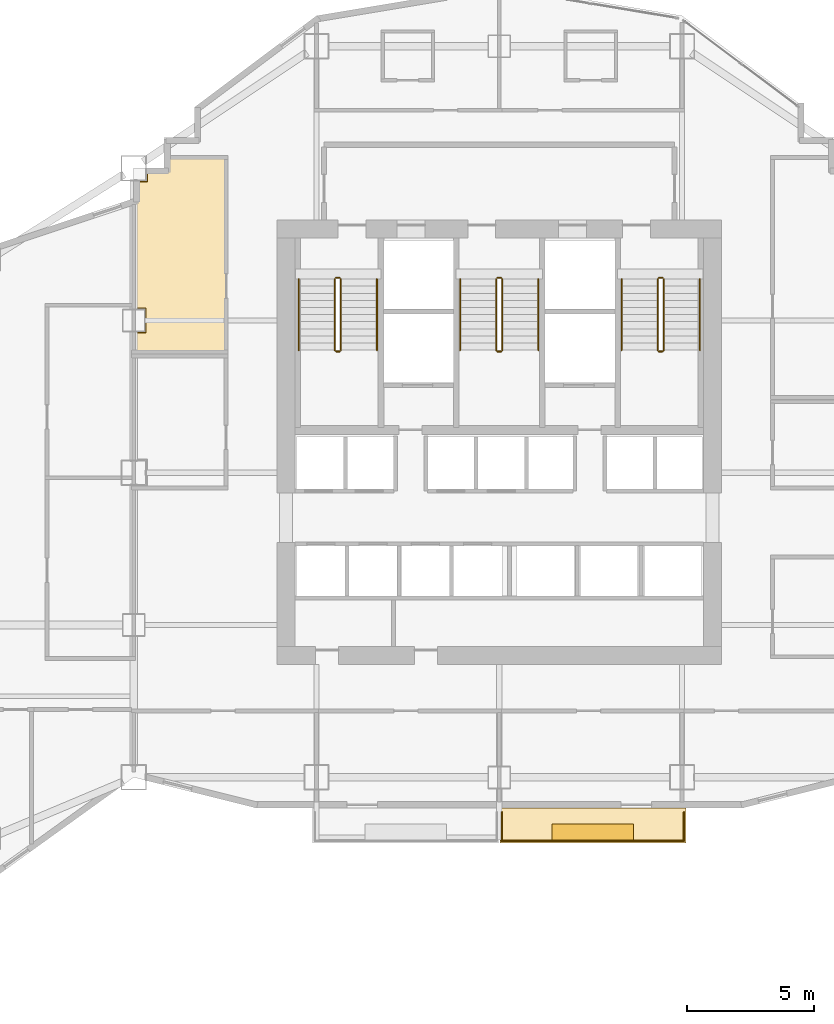
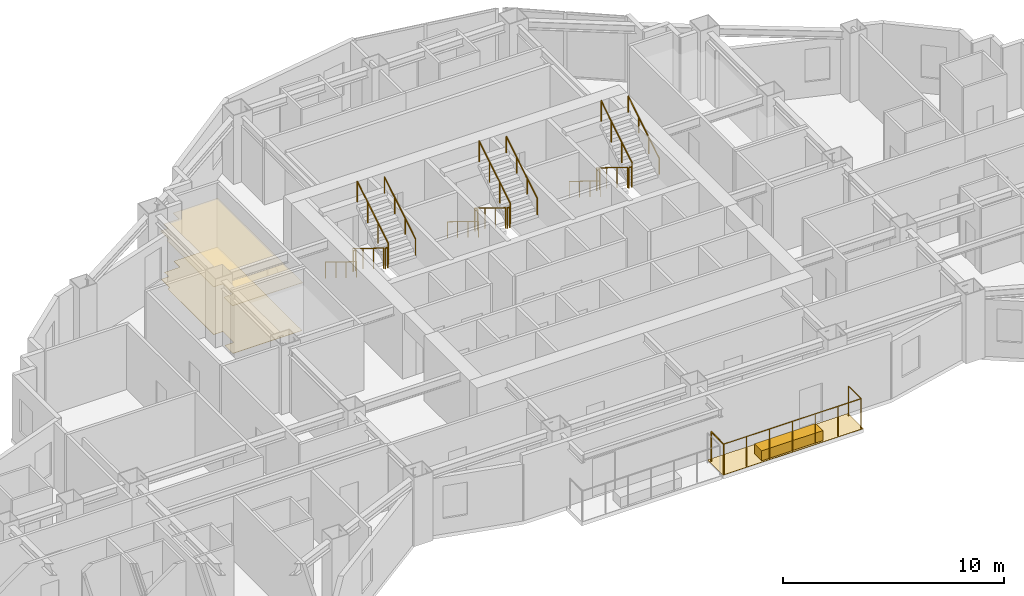
# One storey, part 13 of 14: 20 railings, 4 coverings.
"""IFC4 building model written with IfcOpenShell, lengths in metres."""

from ifc_helpers import new_model, si_unit, direction, frame, origin, origin_2d, place, context, subcontext, project, spatial, polyline, rectangle, circle, outline, extrude, material, layer, layer_set, type_object, element, save


model = new_model("IFC4")

# Units and contexts
model_context = context("Model", 3, precision=1e-05, world=origin(), true_north=direction((0.0, 1.0)))
body_context = subcontext(model_context, "Body", "Model", "MODEL_VIEW")
ifc_project = project(units=[si_unit("LENGTHUNIT", "METRE"), si_unit("AREAUNIT", "SQUARE_METRE"), si_unit("VOLUMEUNIT", "CUBIC_METRE"), si_unit("PLANEANGLEUNIT", "RADIAN"), si_unit("MASSUNIT", "GRAM", prefix="KILO")], contexts=[model_context])

# Site, building, storey
site_placement = place(None, origin())
site = spatial("IfcSite", under=ifc_project, at=site_placement, CompositionType="ELEMENT")
building_placement = place(site_placement, origin())
building = spatial("IfcBuilding", under=site, at=building_placement, Name="Haolan Belvedere Tower", CompositionType="ELEMENT")
storey_placement = place(building_placement, frame((0.0, 0.0, 98.39990234375)))
storey = spatial("IfcBuildingStorey", under=building, at=storey_placement, Name="L24", CompositionType="ELEMENT", Elevation=98.39990234375)

# Coverings
ifc_material_1 = material(Name="Acoustic mineral-fibre suspended ceiling system", Category="masonry")
ifc_layer_1 = layer(ifc_material_1, 0.02490234375, Name="Acoustic mineral-fibre suspended ceiling system")
ifc_layer_set_1 = layer_set([ifc_layer_1], Name="Acoustic mineral-fibre suspended ceiling system")
covering_type_1 = type_object("IfcCoveringType", Name="COV-CEIL-AC25", PredefinedType="CEILING", material=ifc_layer_set_1)
covering_1_placement = place(storey_placement, frame((0.0, 0.0, 2.650146484375)))
element("IfcCovering", 1, at=covering_1_placement, inside=storey, type_object=covering_type_1, Name="L24 suspended acoustic ceiling L24-VLT.2", PredefinedType="CEILING", context=body_context, shape_type="SweptSolid", body=[
    extrude(outline(polyline([(23.988037109375, 40.06494140625), (24.465087890625, 40.06494140625), (24.465087890625, 39.135009765625), (23.988037109375, 39.135009765625), (23.988037109375, 38.347900390625), (27.652099609375, 38.347900390625), (27.652099609375, 46.031982421875), (25.318115234375, 46.031982421875), (25.318115234375, 45.48193359375), (24.514892578125, 45.48193359375), (24.514892578125, 45.0849609375), (24.117919921875, 45.0849609375), (24.117919921875, 44.31494140625), (23.988037109375, 44.271728515625), (23.988037109375, 40.06494140625)])), origin(), (0.0, 0.0, 1.0), 0.02490234375),
])
ifc_material_2 = material(Name="Honed terrazzo and natural granite stone flooring", Category="masonry")
ifc_layer_2 = layer(ifc_material_2, 0.014892578125, Name="Honed terrazzo and natural granite stone flooring")
ifc_layer_set_2 = layer_set([ifc_layer_2], Name="Honed terrazzo and natural granite stone flooring")
covering_type_2 = type_object("IfcCoveringType", Name="COV-FLR-STN30", PredefinedType="FLOORING", material=ifc_layer_set_2)
covering_2_placement = place(storey_placement, origin())
element("IfcCovering", 2, at=covering_2_placement, inside=storey, type_object=covering_type_2, Name="L24 polished stone floor finish L24-VLT.2", PredefinedType="FLOORING", context=body_context, shape_type="SweptSolid", body=[
    extrude(outline(polyline([(24.489990234375, 40.090087890625), (24.489990234375, 39.110107421875), (24.012939453125, 39.110107421875), (24.012939453125, 38.373046875), (27.626953125, 38.373046875), (27.626953125, 46.007080078125), (25.343017578125, 46.007080078125), (25.343017578125, 45.45703125), (24.5400390625, 45.45703125), (24.5400390625, 45.06005859375), (24.14306640625, 45.06005859375), (24.14306640625, 44.297119140625), (24.012939453125, 44.253662109375), (24.012939453125, 40.090087890625), (24.489990234375, 40.090087890625)])), origin(), (0.0, 0.0, 1.0), 0.01513671875),
])
ifc_material_3 = material(Name="Engineered lightweight planted garden soil substrate", Category="masonry")
ifc_layer_3 = layer(ifc_material_3, 0.550048828125, Name="Engineered lightweight planted garden soil substrate")
ifc_layer_set_3 = layer_set([ifc_layer_3], Name="Engineered lightweight planted garden soil substrate")
covering_type_3 = type_object("IfcCoveringType", Name="COV-PLANT-550", PredefinedType="MEMBRANE", material=ifc_layer_set_3)
covering_3_placement = place(storey_placement, frame((42.0849609375, 19.43994140625, 0.0), z_axis=(0.0, 0.0, 1.0), x_axis=(1.0, 0.0, 0.0)))
element("IfcCovering", 3, at=covering_3_placement, inside=storey, type_object=covering_type_3, Name="L24 structural tree balcony PLANTER box 2", PredefinedType="MEMBRANE", context=body_context, shape_type="SweptSolid", body=[
    extrude(rectangle(XDim=3.199951171875, YDim=0.64990234375, at=origin_2d()), origin(), (0.0, 0.0, 1.0), 0.550048828125),
])
ifc_material_4 = material(Name="Elastomeric waterproof roofing membrane and stone pavers", Category="masonry")
ifc_layer_4 = layer(ifc_material_4, 0.02001953125, Name="Elastomeric waterproof roofing membrane and stone pavers")
ifc_layer_set_4 = layer_set([ifc_layer_4], Name="Elastomeric waterproof roofing membrane and stone pavers")
covering_type_4 = type_object("IfcCoveringType", Name="COV-ROOF-20", PredefinedType="ROOFING", material=ifc_layer_set_4)
covering_4_placement = place(storey_placement, frame((0.0, 0.0, -0.02001953125)))
element("IfcCovering", 4, at=covering_4_placement, inside=storey, type_object=covering_type_4, Name="L24 tree-balcony waterproof membrane 2", PredefinedType="ROOFING", context=body_context, shape_type="SweptSolid", body=[
    extrude(outline(polyline([(38.419921875, 19.02001953125), (45.75, 19.02001953125), (45.75, 20.39990234375), (38.419921875, 20.39990234375), (38.419921875, 19.02001953125)])), origin(), (0.0, 0.0, 1.0), 0.02001953125),
])

# Railings
ifc_material_5 = material(Name="Brushed stainless steel 304", Category="steel")
railing_type_1 = type_object("IfcRailingType", Name="RL-STAIR-GRD-1150", PredefinedType="GUARDRAIL", material=ifc_material_5)
railing_1_placement = place(storey_placement, frame((31.919921875, 41.22998046875, 0.1728515625)))
element("IfcRailing", 5, at=railing_1_placement, inside=storey, type_object=railing_type_1, Name="L24 ST1 stair guard 1", PredefinedType="GUARDRAIL", context=body_context, shape_type="SweptSolid", body=[
    extrude(circle(Radius=0.02392578125, at=origin_2d()), frame((0.0, 0.0, 1.1259765625), z_axis=(0.0, -0.851089632645, 0.525020415988), x_axis=(1.0, 0.0, 0.0)), (0.0, 0.0, 1.0), 3.2900390625),
    extrude(circle(Radius=0.02099609375, at=origin_2d()), origin(), (0.0, 0.0, 1.0), 1.101806640625),
    extrude(circle(Radius=0.02099609375, at=origin_2d()), frame((0.0, -0.933349609375, 0.57568359375)), (0.0, 0.0, 1.0), 1.101806640625),
    extrude(circle(Radius=0.02099609375, at=origin_2d()), frame((0.0, -1.86669921875, 1.151611328125)), (0.0, 0.0, 1.0), 1.101806640625),
    extrude(circle(Radius=0.02099609375, at=origin_2d()), frame((0.0, -2.800048828125, 1.727294921875)), (0.0, 0.0, 1.0), 1.101806640625),
])
railing_2_placement = place(storey_placement, frame((31.969970703125, 38.3798828125, 1.900146484375)))
element("IfcRailing", 6, at=railing_2_placement, inside=storey, type_object=railing_type_1, Name="L24 ST1 stair guard 2", PredefinedType="GUARDRAIL", context=body_context, shape_type="SweptSolid", body=[
    extrude(circle(Radius=0.02392578125, at=origin_2d()), frame((0.0, 0.0, 1.1259765625), z_axis=(1.0, 0.0, 0.0), x_axis=(0.0, 1.0, 0.0)), (0.0, 0.0, 1.0), 0.14013671875),
    extrude(circle(Radius=0.02099609375, at=origin_2d()), origin(), (0.0, 0.0, 1.0), 1.101806640625),
    extrude(circle(Radius=0.02099609375, at=origin_2d()), frame((0.14013671875, 0.0, 0.0)), (0.0, 0.0, 1.0), 1.101806640625),
])
railing_3_placement = place(storey_placement, frame((32.159912109375, 38.429931640625, 2.07275390625)))
element("IfcRailing", 7, at=railing_3_placement, inside=storey, type_object=railing_type_1, Name="L24 ST1 stair guard 3", PredefinedType="GUARDRAIL", context=body_context, shape_type="SweptSolid", body=[
    extrude(circle(Radius=0.02392578125, at=origin_2d()), frame((0.0, 0.0, 1.1259765625), z_axis=(0.0, 0.851089632645, 0.525020415988), x_axis=(-1.0, 0.0, 0.0)), (0.0, 0.0, 1.0), 3.2900390625),
    extrude(circle(Radius=0.02099609375, at=origin_2d()), origin(), (0.0, 0.0, 1.0), 1.101806640625),
    extrude(circle(Radius=0.02099609375, at=origin_2d()), frame((0.0, 0.933349609375, 0.57568359375)), (0.0, 0.0, 1.0), 1.101806640625),
    extrude(circle(Radius=0.02099609375, at=origin_2d()), frame((0.0, 1.86669921875, 1.151611328125)), (0.0, 0.0, 1.0), 1.101806640625),
    extrude(circle(Radius=0.02099609375, at=origin_2d()), frame((0.0, 2.800048828125, 1.727294921875)), (0.0, 0.0, 1.0), 1.101806640625),
])
railing_4_placement = place(storey_placement, frame((31.969970703125, 41.280029296875, 0.0)))
element("IfcRailing", 8, at=railing_4_placement, inside=storey, type_object=railing_type_1, Name="L24 ST1 stair guard 4", PredefinedType="GUARDRAIL", context=body_context, shape_type="SweptSolid", body=[
    extrude(circle(Radius=0.02392578125, at=origin_2d()), frame((0.0, 0.0, 1.1259765625), z_axis=(1.0, 0.0, 0.0), x_axis=(0.0, 1.0, 0.0)), (0.0, 0.0, 1.0), 0.14013671875),
    extrude(circle(Radius=0.02099609375, at=origin_2d()), origin(), (0.0, 0.0, 1.0), 1.101806640625),
    extrude(circle(Radius=0.02099609375, at=origin_2d()), frame((0.14013671875, 0.0, 0.0)), (0.0, 0.0, 1.0), 1.101806640625),
])
railing_5_placement = place(storey_placement, frame((38.280029296875, 41.22998046875, 0.1728515625)))
element("IfcRailing", 9, at=railing_5_placement, inside=storey, type_object=railing_type_1, Name="L24 ST3 stair guard 1", PredefinedType="GUARDRAIL", context=body_context, shape_type="SweptSolid", body=[
    extrude(circle(Radius=0.02392578125, at=origin_2d()), frame((0.0, 0.0, 1.1259765625), z_axis=(0.0, -0.851089632645, 0.525020415988), x_axis=(1.0, 0.0, 0.0)), (0.0, 0.0, 1.0), 3.2900390625),
    extrude(circle(Radius=0.02099609375, at=origin_2d()), origin(), (0.0, 0.0, 1.0), 1.101806640625),
    extrude(circle(Radius=0.02099609375, at=origin_2d()), frame((0.0, -0.933349609375, 0.57568359375)), (0.0, 0.0, 1.0), 1.101806640625),
    extrude(circle(Radius=0.02099609375, at=origin_2d()), frame((0.0, -1.86669921875, 1.151611328125)), (0.0, 0.0, 1.0), 1.101806640625),
    extrude(circle(Radius=0.02099609375, at=origin_2d()), frame((0.0, -2.800048828125, 1.727294921875)), (0.0, 0.0, 1.0), 1.101806640625),
])
railing_6_placement = place(storey_placement, frame((38.330078125, 38.3798828125, 1.900146484375)))
element("IfcRailing", 10, at=railing_6_placement, inside=storey, type_object=railing_type_1, Name="L24 ST3 stair guard 2", PredefinedType="GUARDRAIL", context=body_context, shape_type="SweptSolid", body=[
    extrude(circle(Radius=0.02392578125, at=origin_2d()), frame((0.0, 0.0, 1.1259765625), z_axis=(1.0, 0.0, 0.0), x_axis=(0.0, 1.0, 0.0)), (0.0, 0.0, 1.0), 0.139892578125),
    extrude(circle(Radius=0.02099609375, at=origin_2d()), origin(), (0.0, 0.0, 1.0), 1.101806640625),
    extrude(circle(Radius=0.02099609375, at=origin_2d()), frame((0.139892578125, 0.0, 0.0)), (0.0, 0.0, 1.0), 1.101806640625),
])
railing_7_placement = place(storey_placement, frame((38.52001953125, 38.429931640625, 2.07275390625)))
element("IfcRailing", 11, at=railing_7_placement, inside=storey, type_object=railing_type_1, Name="L24 ST3 stair guard 3", PredefinedType="GUARDRAIL", context=body_context, shape_type="SweptSolid", body=[
    extrude(circle(Radius=0.02392578125, at=origin_2d()), frame((0.0, 0.0, 1.1259765625), z_axis=(0.0, 0.851089632645, 0.525020415988), x_axis=(-1.0, 0.0, 0.0)), (0.0, 0.0, 1.0), 3.2900390625),
    extrude(circle(Radius=0.02099609375, at=origin_2d()), origin(), (0.0, 0.0, 1.0), 1.101806640625),
    extrude(circle(Radius=0.02099609375, at=origin_2d()), frame((0.0, 0.933349609375, 0.57568359375)), (0.0, 0.0, 1.0), 1.101806640625),
    extrude(circle(Radius=0.02099609375, at=origin_2d()), frame((0.0, 1.86669921875, 1.151611328125)), (0.0, 0.0, 1.0), 1.101806640625),
    extrude(circle(Radius=0.02099609375, at=origin_2d()), frame((0.0, 2.800048828125, 1.727294921875)), (0.0, 0.0, 1.0), 1.101806640625),
])
railing_8_placement = place(storey_placement, frame((38.330078125, 41.280029296875, 0.0)))
element("IfcRailing", 12, at=railing_8_placement, inside=storey, type_object=railing_type_1, Name="L24 ST3 stair guard 4", PredefinedType="GUARDRAIL", context=body_context, shape_type="SweptSolid", body=[
    extrude(circle(Radius=0.02392578125, at=origin_2d()), frame((0.0, 0.0, 1.1259765625), z_axis=(1.0, 0.0, 0.0), x_axis=(0.0, 1.0, 0.0)), (0.0, 0.0, 1.0), 0.139892578125),
    extrude(circle(Radius=0.02099609375, at=origin_2d()), origin(), (0.0, 0.0, 1.0), 1.101806640625),
    extrude(circle(Radius=0.02099609375, at=origin_2d()), frame((0.139892578125, 0.0, 0.0)), (0.0, 0.0, 1.0), 1.101806640625),
])
railing_9_placement = place(storey_placement, frame((44.639892578125, 41.22998046875, 0.1728515625)))
element("IfcRailing", 13, at=railing_9_placement, inside=storey, type_object=railing_type_1, Name="L24 ST2 stair guard 1", PredefinedType="GUARDRAIL", context=body_context, shape_type="SweptSolid", body=[
    extrude(circle(Radius=0.02392578125, at=origin_2d()), frame((0.0, 0.0, 1.1259765625), z_axis=(0.0, -0.851089632645, 0.525020415988), x_axis=(1.0, 0.0, 0.0)), (0.0, 0.0, 1.0), 3.2900390625),
    extrude(circle(Radius=0.02099609375, at=origin_2d()), origin(), (0.0, 0.0, 1.0), 1.101806640625),
    extrude(circle(Radius=0.02099609375, at=origin_2d()), frame((0.0, -0.933349609375, 0.57568359375)), (0.0, 0.0, 1.0), 1.101806640625),
    extrude(circle(Radius=0.02099609375, at=origin_2d()), frame((0.0, -1.86669921875, 1.151611328125)), (0.0, 0.0, 1.0), 1.101806640625),
    extrude(circle(Radius=0.02099609375, at=origin_2d()), frame((0.0, -2.800048828125, 1.727294921875)), (0.0, 0.0, 1.0), 1.101806640625),
])
railing_10_placement = place(storey_placement, frame((44.68994140625, 38.3798828125, 1.900146484375)))
element("IfcRailing", 14, at=railing_10_placement, inside=storey, type_object=railing_type_1, Name="L24 ST2 stair guard 2", PredefinedType="GUARDRAIL", context=body_context, shape_type="SweptSolid", body=[
    extrude(circle(Radius=0.02392578125, at=origin_2d()), frame((0.0, 0.0, 1.1259765625), z_axis=(1.0, 0.0, 0.0), x_axis=(0.0, 1.0, 0.0)), (0.0, 0.0, 1.0), 0.14013671875),
    extrude(circle(Radius=0.02099609375, at=origin_2d()), origin(), (0.0, 0.0, 1.0), 1.101806640625),
    extrude(circle(Radius=0.02099609375, at=origin_2d()), frame((0.14013671875, 0.0, 0.0)), (0.0, 0.0, 1.0), 1.101806640625),
])
railing_11_placement = place(storey_placement, frame((44.8798828125, 38.429931640625, 2.07275390625)))
element("IfcRailing", 15, at=railing_11_placement, inside=storey, type_object=railing_type_1, Name="L24 ST2 stair guard 3", PredefinedType="GUARDRAIL", context=body_context, shape_type="SweptSolid", body=[
    extrude(circle(Radius=0.02392578125, at=origin_2d()), frame((0.0, 0.0, 1.1259765625), z_axis=(0.0, 0.851089632645, 0.525020415988), x_axis=(-1.0, 0.0, 0.0)), (0.0, 0.0, 1.0), 3.2900390625),
    extrude(circle(Radius=0.02099609375, at=origin_2d()), origin(), (0.0, 0.0, 1.0), 1.101806640625),
    extrude(circle(Radius=0.02099609375, at=origin_2d()), frame((0.0, 0.933349609375, 0.57568359375)), (0.0, 0.0, 1.0), 1.101806640625),
    extrude(circle(Radius=0.02099609375, at=origin_2d()), frame((0.0, 1.86669921875, 1.151611328125)), (0.0, 0.0, 1.0), 1.101806640625),
    extrude(circle(Radius=0.02099609375, at=origin_2d()), frame((0.0, 2.800048828125, 1.727294921875)), (0.0, 0.0, 1.0), 1.101806640625),
])
railing_12_placement = place(storey_placement, frame((44.68994140625, 41.280029296875, 0.0)))
element("IfcRailing", 16, at=railing_12_placement, inside=storey, type_object=railing_type_1, Name="L24 ST2 stair guard 4", PredefinedType="GUARDRAIL", context=body_context, shape_type="SweptSolid", body=[
    extrude(circle(Radius=0.02392578125, at=origin_2d()), frame((0.0, 0.0, 1.1259765625), z_axis=(1.0, 0.0, 0.0), x_axis=(0.0, 1.0, 0.0)), (0.0, 0.0, 1.0), 0.14013671875),
    extrude(circle(Radius=0.02099609375, at=origin_2d()), origin(), (0.0, 0.0, 1.0), 1.101806640625),
    extrude(circle(Radius=0.02099609375, at=origin_2d()), frame((0.14013671875, 0.0, 0.0)), (0.0, 0.0, 1.0), 1.101806640625),
])
railing_type_2 = type_object("IfcRailingType", Name="RL-STAIR-HND-900", PredefinedType="HANDRAIL", material=ifc_material_5)
railing_13_placement = place(storey_placement, frame((30.5, 41.22998046875, 0.1728515625)))
element("IfcRailing", 17, at=railing_13_placement, inside=storey, type_object=railing_type_2, Name="L24 ST1 stair handrail 1", PredefinedType="HANDRAIL", context=body_context, shape_type="SweptSolid", body=[
    extrude(circle(Radius=0.02392578125, at=origin_2d()), frame((0.0, 0.0, 0.8759765625), z_axis=(0.0, -0.851089632645, 0.525020415988), x_axis=(1.0, 0.0, 0.0)), (0.0, 0.0, 1.0), 3.2900390625),
    extrude(circle(Radius=0.02099609375, at=origin_2d()), origin(), (0.0, 0.0, 1.0), 0.851806640625),
    extrude(circle(Radius=0.02099609375, at=origin_2d()), frame((0.0, -0.933349609375, 0.57568359375)), (0.0, 0.0, 1.0), 0.851806640625),
    extrude(circle(Radius=0.02099609375, at=origin_2d()), frame((0.0, -1.86669921875, 1.151611328125)), (0.0, 0.0, 1.0), 0.851806640625),
    extrude(circle(Radius=0.02099609375, at=origin_2d()), frame((0.0, -2.800048828125, 1.727294921875)), (0.0, 0.0, 1.0), 0.851806640625),
])
railing_14_placement = place(storey_placement, frame((33.580078125, 38.429931640625, 2.07275390625)))
element("IfcRailing", 18, at=railing_14_placement, inside=storey, type_object=railing_type_2, Name="L24 ST1 stair handrail 2", PredefinedType="HANDRAIL", context=body_context, shape_type="SweptSolid", body=[
    extrude(circle(Radius=0.02392578125, at=origin_2d()), frame((0.0, 0.0, 0.8759765625), z_axis=(0.0, 0.851089632645, 0.525020415988), x_axis=(-1.0, 0.0, 0.0)), (0.0, 0.0, 1.0), 3.2900390625),
    extrude(circle(Radius=0.02099609375, at=origin_2d()), origin(), (0.0, 0.0, 1.0), 0.851806640625),
    extrude(circle(Radius=0.02099609375, at=origin_2d()), frame((0.0, 0.933349609375, 0.57568359375)), (0.0, 0.0, 1.0), 0.851806640625),
    extrude(circle(Radius=0.02099609375, at=origin_2d()), frame((0.0, 1.86669921875, 1.151611328125)), (0.0, 0.0, 1.0), 0.851806640625),
    extrude(circle(Radius=0.02099609375, at=origin_2d()), frame((0.0, 2.800048828125, 1.727294921875)), (0.0, 0.0, 1.0), 0.851806640625),
])
railing_15_placement = place(storey_placement, frame((36.860107421875, 41.22998046875, 0.1728515625)))
element("IfcRailing", 19, at=railing_15_placement, inside=storey, type_object=railing_type_2, Name="L24 ST3 stair handrail 1", PredefinedType="HANDRAIL", context=body_context, shape_type="SweptSolid", body=[
    extrude(circle(Radius=0.02392578125, at=origin_2d()), frame((0.0, 0.0, 0.8759765625), z_axis=(0.0, -0.851089632645, 0.525020415988), x_axis=(1.0, 0.0, 0.0)), (0.0, 0.0, 1.0), 3.2900390625),
    extrude(circle(Radius=0.02099609375, at=origin_2d()), origin(), (0.0, 0.0, 1.0), 0.851806640625),
    extrude(circle(Radius=0.02099609375, at=origin_2d()), frame((0.0, -0.933349609375, 0.57568359375)), (0.0, 0.0, 1.0), 0.851806640625),
    extrude(circle(Radius=0.02099609375, at=origin_2d()), frame((0.0, -1.86669921875, 1.151611328125)), (0.0, 0.0, 1.0), 0.851806640625),
    extrude(circle(Radius=0.02099609375, at=origin_2d()), frame((0.0, -2.800048828125, 1.727294921875)), (0.0, 0.0, 1.0), 0.851806640625),
])
railing_16_placement = place(storey_placement, frame((39.93994140625, 38.429931640625, 2.07275390625)))
element("IfcRailing", 20, at=railing_16_placement, inside=storey, type_object=railing_type_2, Name="L24 ST3 stair handrail 2", PredefinedType="HANDRAIL", context=body_context, shape_type="SweptSolid", body=[
    extrude(circle(Radius=0.02392578125, at=origin_2d()), frame((0.0, 0.0, 0.8759765625), z_axis=(0.0, 0.851089632645, 0.525020415988), x_axis=(-1.0, 0.0, 0.0)), (0.0, 0.0, 1.0), 3.2900390625),
    extrude(circle(Radius=0.02099609375, at=origin_2d()), origin(), (0.0, 0.0, 1.0), 0.851806640625),
    extrude(circle(Radius=0.02099609375, at=origin_2d()), frame((0.0, 0.933349609375, 0.57568359375)), (0.0, 0.0, 1.0), 0.851806640625),
    extrude(circle(Radius=0.02099609375, at=origin_2d()), frame((0.0, 1.86669921875, 1.151611328125)), (0.0, 0.0, 1.0), 0.851806640625),
    extrude(circle(Radius=0.02099609375, at=origin_2d()), frame((0.0, 2.800048828125, 1.727294921875)), (0.0, 0.0, 1.0), 0.851806640625),
])
railing_17_placement = place(storey_placement, frame((43.219970703125, 41.22998046875, 0.1728515625)))
element("IfcRailing", 21, at=railing_17_placement, inside=storey, type_object=railing_type_2, Name="L24 ST2 stair handrail 1", PredefinedType="HANDRAIL", context=body_context, shape_type="SweptSolid", body=[
    extrude(circle(Radius=0.02392578125, at=origin_2d()), frame((0.0, 0.0, 0.8759765625), z_axis=(0.0, -0.851089632645, 0.525020415988), x_axis=(1.0, 0.0, 0.0)), (0.0, 0.0, 1.0), 3.2900390625),
    extrude(circle(Radius=0.02099609375, at=origin_2d()), origin(), (0.0, 0.0, 1.0), 0.851806640625),
    extrude(circle(Radius=0.02099609375, at=origin_2d()), frame((0.0, -0.933349609375, 0.57568359375)), (0.0, 0.0, 1.0), 0.851806640625),
    extrude(circle(Radius=0.02099609375, at=origin_2d()), frame((0.0, -1.86669921875, 1.151611328125)), (0.0, 0.0, 1.0), 0.851806640625),
    extrude(circle(Radius=0.02099609375, at=origin_2d()), frame((0.0, -2.800048828125, 1.727294921875)), (0.0, 0.0, 1.0), 0.851806640625),
])
railing_18_placement = place(storey_placement, frame((46.300048828125, 38.429931640625, 2.07275390625)))
element("IfcRailing", 22, at=railing_18_placement, inside=storey, type_object=railing_type_2, Name="L24 ST2 stair handrail 2", PredefinedType="HANDRAIL", context=body_context, shape_type="SweptSolid", body=[
    extrude(circle(Radius=0.02392578125, at=origin_2d()), frame((0.0, 0.0, 0.8759765625), z_axis=(0.0, 0.851089632645, 0.525020415988), x_axis=(-1.0, 0.0, 0.0)), (0.0, 0.0, 1.0), 3.2900390625),
    extrude(circle(Radius=0.02099609375, at=origin_2d()), origin(), (0.0, 0.0, 1.0), 0.851806640625),
    extrude(circle(Radius=0.02099609375, at=origin_2d()), frame((0.0, 0.933349609375, 0.57568359375)), (0.0, 0.0, 1.0), 0.851806640625),
    extrude(circle(Radius=0.02099609375, at=origin_2d()), frame((0.0, 1.86669921875, 1.151611328125)), (0.0, 0.0, 1.0), 0.851806640625),
    extrude(circle(Radius=0.02099609375, at=origin_2d()), frame((0.0, 2.800048828125, 1.727294921875)), (0.0, 0.0, 1.0), 0.851806640625),
])
ifc_material_6 = material(Name="Anodised aluminium and laminated glass balustrade", Category="aluminium")
railing_type_3 = type_object("IfcRailingType", Name="RL-TER-BAL-1150", PredefinedType="BALUSTRADE", material=ifc_material_6)
railing_19_placement = place(storey_placement, frame((38.5, 19.10009765625, 0.0)))
element("IfcRailing", 23, at=railing_19_placement, inside=storey, type_object=railing_type_3, Name="L24 outdoor perimeter balustrade BAL-L24-2-1", PredefinedType="BALUSTRADE", context=body_context, shape_type="SweptSolid", body=[
    extrude(circle(Radius=0.02392578125, at=origin_2d()), frame((0.0, 0.0, 1.6259765625), z_axis=(0.0, 1.0, 0.0), x_axis=(-1.0, 0.0, 0.0)), (0.0, 0.0, 1.0), 1.119873046875),
    extrude(circle(Radius=0.02099609375, at=origin_2d()), origin(), (0.0, 0.0, 1.0), 1.601806640625),
    extrude(circle(Radius=0.02099609375, at=origin_2d()), frame((0.0, 1.119873046875, 0.0)), (0.0, 0.0, 1.0), 1.601806640625),
])
railing_20_placement = place(storey_placement, frame((45.669921875, 20.219970703125, 0.0)))
element("IfcRailing", 24, at=railing_20_placement, inside=storey, type_object=railing_type_3, Name="L24 outdoor perimeter balustrade BAL-L24-2-2", PredefinedType="BALUSTRADE", context=body_context, shape_type="SweptSolid", body=[
    extrude(circle(Radius=0.02392578125, at=origin_2d()), frame((0.0, 0.0, 1.6259765625), z_axis=(0.0, -1.0, 0.0), x_axis=(1.0, 0.0, 0.0)), (0.0, 0.0, 1.0), 1.119873046875),
    extrude(circle(Radius=0.02392578125, at=origin_2d()), frame((0.0, -1.119873046875, 1.6259765625), z_axis=(-1.0, 0.0, 0.0), x_axis=(0.0, -1.0, 0.0)), (0.0, 0.0, 1.0), 7.169921875),
    extrude(circle(Radius=0.02099609375, at=origin_2d()), origin(), (0.0, 0.0, 1.0), 1.601806640625),
    extrude(circle(Radius=0.02099609375, at=origin_2d()), frame((0.0, -1.119873046875, 0.0)), (0.0, 0.0, 1.0), 1.601806640625),
    extrude(circle(Radius=0.02099609375, at=origin_2d()), frame((-1.195068359375, -1.119873046875, 0.0)), (0.0, 0.0, 1.0), 1.601806640625),
    extrude(circle(Radius=0.02099609375, at=origin_2d()), frame((-2.389892578125, -1.119873046875, 0.0)), (0.0, 0.0, 1.0), 1.601806640625),
    extrude(circle(Radius=0.02099609375, at=origin_2d()), frame((-3.5849609375, -1.119873046875, 0.0)), (0.0, 0.0, 1.0), 1.601806640625),
    extrude(circle(Radius=0.02099609375, at=origin_2d()), frame((-4.780029296875, -1.119873046875, 0.0)), (0.0, 0.0, 1.0), 1.601806640625),
    extrude(circle(Radius=0.02099609375, at=origin_2d()), frame((-5.974853515625, -1.119873046875, 0.0)), (0.0, 0.0, 1.0), 1.601806640625),
    extrude(circle(Radius=0.02099609375, at=origin_2d()), frame((-7.169921875, -1.119873046875, 0.0)), (0.0, 0.0, 1.0), 1.601806640625),
])

save(model, "model.ifc")
